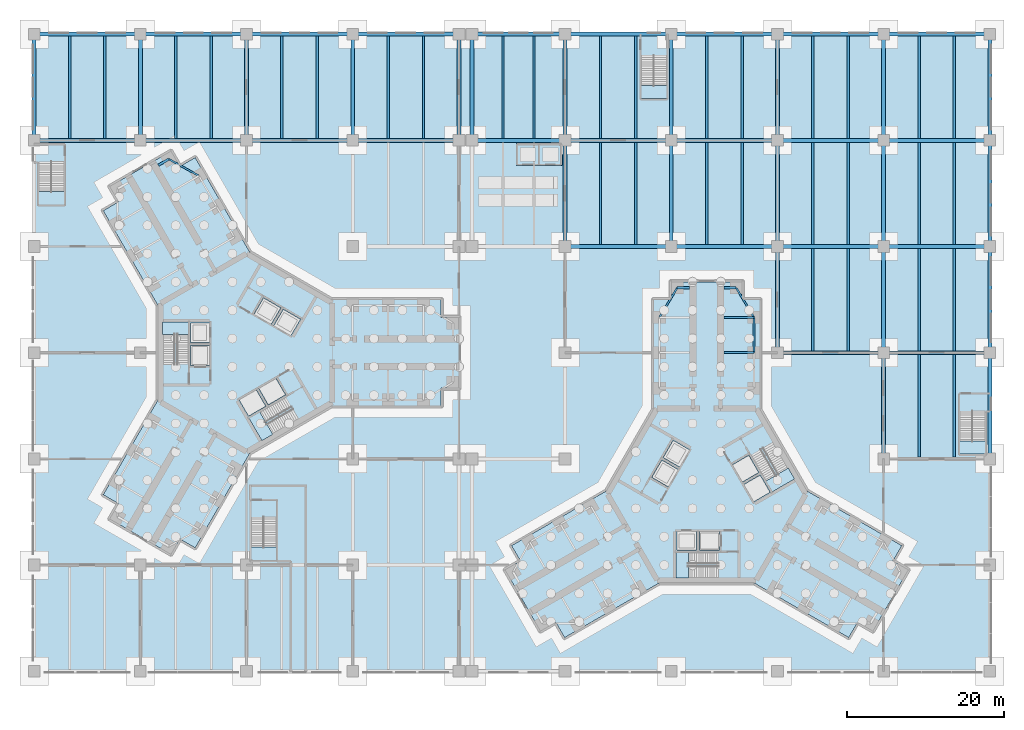
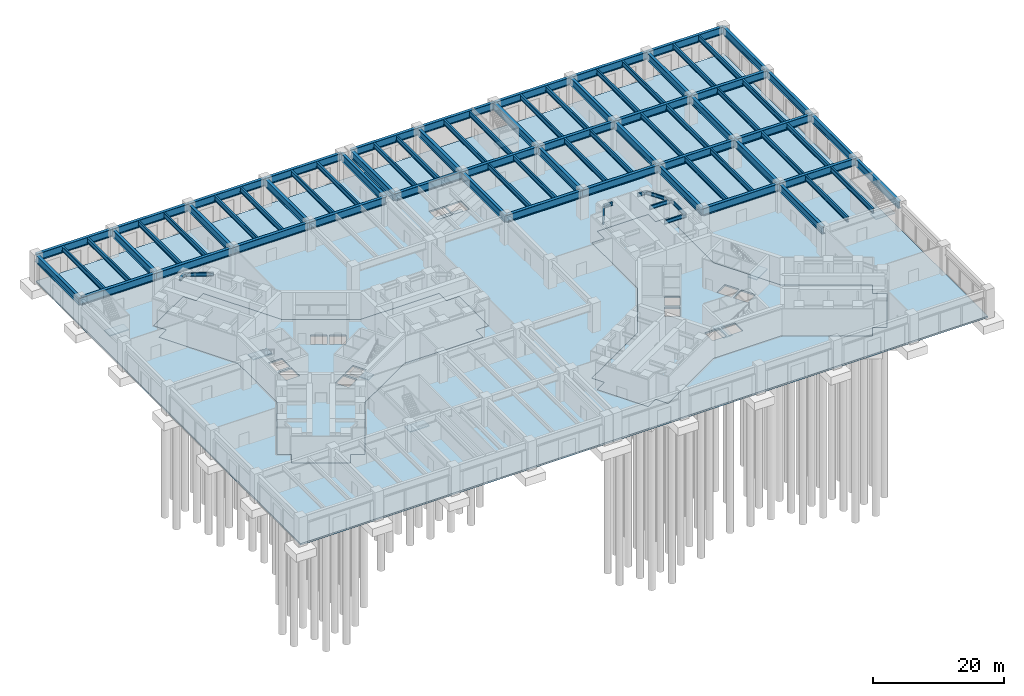
# One storey, part 4 of 18: 86 beams, 13 slabs, 8 elements without a shape of their own.
"""IFC4 building model written with IfcOpenShell, lengths in metres."""

from ifc_helpers import new_model, si_unit, direction, frame, origin, origin_2d, place, context, subcontext, project, spatial, polyline, i_section, outline, extrude, material, layer, layer_set, material_profile, profile_set, type_object, element, aggregate, save


model = new_model("IFC4")

# Units and contexts
model_context = context("Model", 3, precision=1e-05, world=origin(), true_north=direction((0.0, 1.0)))
body_context = subcontext(model_context, "Body", "Model", "MODEL_VIEW")
ifc_project = project(units=[si_unit("LENGTHUNIT", "METRE"), si_unit("AREAUNIT", "SQUARE_METRE"), si_unit("VOLUMEUNIT", "CUBIC_METRE"), si_unit("PLANEANGLEUNIT", "RADIAN"), si_unit("MASSUNIT", "GRAM", prefix="KILO")], contexts=[model_context])

# Site, building, storey
site_placement = place(None, origin())
site = spatial("IfcSite", under=ifc_project, at=site_placement, CompositionType="ELEMENT")
building_placement = place(site_placement, origin())
building = spatial("IfcBuilding", under=site, at=building_placement, Name="Upepo Twin Towers", CompositionType="ELEMENT")
storey_placement = place(building_placement, origin())
storey = spatial("IfcBuildingStorey", under=building, at=storey_placement, Name="L00", CompositionType="ELEMENT", Elevation=0.0)

# Beams
ifc_material_1 = material(Name="Steel S355", Category="steel")
ifc_material_profile_1 = material_profile(ifc_material_1, i_section(OverallWidth=0.5, OverallDepth=1.39990234375, WebThickness=0.02490234375, FlangeThickness=0.050048828125, FilletRadius=0.008056640625, at=origin_2d()), Name="PG 1400x500x25x50")
ifc_profile_set_1 = profile_set([ifc_material_profile_1], Name="Steel S355")
beam_type_1 = type_object("IfcBeamType", Name="Beam PG 1400x500x25x50", PredefinedType="BEAM", material=ifc_profile_set_1)
for number, where, z_axis, x_axis, name in (
    (1, (67.5, 0.0, 4.449951171875), (1.0, 0.0, 0.0), (0.0, 1.0, 0.0), "Podium girder D/8-9"),
    (2, (81.0, 0.0, 4.449951171875), (1.0, 0.0, 0.0), (0.0, 1.0, 0.0), "Podium girder D/9-10"),
    (3, (40.5, 13.5, 4.449951171875), (1.0, 0.0, 0.0), (0.0, 1.0, 0.0), "Podium girder E/6-7"),
    (4, (54.0, 13.5, 4.449951171875), (1.0, 0.0, 0.0), (0.0, 1.0, 0.0), "Podium girder E/7-8"),
    (5, (67.5, 13.5, 4.449951171875), (1.0, 0.0, 0.0), (0.0, 1.0, 0.0), "Podium girder E/8-9"),
    (6, (81.0, 13.5, 4.449951171875), (1.0, 0.0, 0.0), (0.0, 1.0, 0.0), "Podium girder E/9-10"),
    (7, (-27.0, 27.0, 4.449951171875), (1.0, 0.0, 0.0), (0.0, 1.0, 0.0), "Podium girder F/1-2"),
    (8, (-13.5, 27.0, 4.449951171875), (1.0, 0.0, 0.0), (0.0, 1.0, 0.0), "Podium girder F/2-3"),
    (9, (0.0, 27.0, 4.449951171875), (1.0, 0.0, 0.0), (0.0, 1.0, 0.0), "Podium girder F/3-4"),
    (10, (13.5, 27.0, 4.449951171875), (1.0, 0.0, 0.0), (0.0, 1.0, 0.0), "Podium girder F/4-5"),
):
    element("IfcBeam", number, at=place(storey_placement, frame(where, z_axis=z_axis, x_axis=x_axis)), inside=storey, type_object=beam_type_1, Name=name, PredefinedType="BEAM", context=body_context, shape_type="SweptSolid", body=[
        extrude(i_section(OverallWidth=0.5, OverallDepth=1.39990234375, WebThickness=0.02490234375, FlangeThickness=0.050048828125, FilletRadius=0.008056640625, at=origin_2d()), origin(), (0.0, 0.0, 1.0), 13.5),
    ])
beam_1_placement = place(storey_placement, frame((28.64990234375, 27.0, 4.449951171875), z_axis=(1.0, 0.0, 0.0), x_axis=(0.0, 1.0, 0.0)))
element("IfcBeam", 11, at=beam_1_placement, inside=storey, type_object=beam_type_1, Name="Podium girder F/5a-6", PredefinedType="BEAM", context=body_context, shape_type="SweptSolid", body=[
    extrude(i_section(OverallWidth=0.5, OverallDepth=1.39990234375, WebThickness=0.02490234375, FlangeThickness=0.050048828125, FilletRadius=0.008056640625, at=origin_2d()), origin(), (0.0, 0.0, 1.0), 11.85009765625),
])
for number, where, z_axis, x_axis, name in (
    (12, (40.5, 27.0, 4.449951171875), (1.0, 0.0, 0.0), (0.0, 1.0, 0.0), "Podium girder F/6-7"),
    (13, (54.0, 27.0, 4.449951171875), (1.0, 0.0, 0.0), (0.0, 1.0, 0.0), "Podium girder F/7-8"),
    (14, (67.5, 27.0, 4.449951171875), (1.0, 0.0, 0.0), (0.0, 1.0, 0.0), "Podium girder F/8-9"),
    (15, (81.0, 27.0, 4.449951171875), (1.0, 0.0, 0.0), (0.0, 1.0, 0.0), "Podium girder F/9-10"),
    (16, (-27.0, 40.5, 4.449951171875), (1.0, 0.0, 0.0), (0.0, 1.0, 0.0), "Podium girder G/1-2"),
    (17, (-13.5, 40.5, 4.449951171875), (1.0, 0.0, 0.0), (0.0, 1.0, 0.0), "Podium girder G/2-3"),
    (18, (0.0, 40.5, 4.449951171875), (1.0, 0.0, 0.0), (0.0, 1.0, 0.0), "Podium girder G/3-4"),
    (19, (13.5, 40.5, 4.449951171875), (1.0, 0.0, 0.0), (0.0, 1.0, 0.0), "Podium girder G/4-5"),
):
    element("IfcBeam", number, at=place(storey_placement, frame(where, z_axis=z_axis, x_axis=x_axis)), inside=storey, type_object=beam_type_1, Name=name, PredefinedType="BEAM", context=body_context, shape_type="SweptSolid", body=[
        extrude(i_section(OverallWidth=0.5, OverallDepth=1.39990234375, WebThickness=0.02490234375, FlangeThickness=0.050048828125, FilletRadius=0.008056640625, at=origin_2d()), origin(), (0.0, 0.0, 1.0), 13.5),
    ])
beam_2_placement = place(storey_placement, frame((28.64990234375, 40.5, 4.449951171875), z_axis=(1.0, 0.0, 0.0), x_axis=(0.0, 1.0, 0.0)))
element("IfcBeam", 20, at=beam_2_placement, inside=storey, type_object=beam_type_1, Name="Podium girder G/5a-6", PredefinedType="BEAM", context=body_context, shape_type="SweptSolid", body=[
    extrude(i_section(OverallWidth=0.5, OverallDepth=1.39990234375, WebThickness=0.02490234375, FlangeThickness=0.050048828125, FilletRadius=0.008056640625, at=origin_2d()), origin(), (0.0, 0.0, 1.0), 11.85009765625),
])
for number, where, z_axis, x_axis, name in (
    (21, (40.5, 40.5, 4.449951171875), (1.0, 0.0, 0.0), (0.0, 1.0, 0.0), "Podium girder G/6-7"),
    (22, (54.0, 40.5, 4.449951171875), (1.0, 0.0, 0.0), (0.0, 1.0, 0.0), "Podium girder G/7-8"),
    (23, (67.5, 40.5, 4.449951171875), (1.0, 0.0, 0.0), (0.0, 1.0, 0.0), "Podium girder G/8-9"),
    (24, (81.0, 40.5, 4.449951171875), (1.0, 0.0, 0.0), (0.0, 1.0, 0.0), "Podium girder G/9-10"),
    (25, (-27.0, 27.0, 4.449951171875), (0.0, 1.0, 0.0), (-1.0, 0.0, 0.0), "Podium girder 1/F-G"),
    (26, (-13.5, 27.0, 4.449951171875), (0.0, 1.0, 0.0), (-1.0, 0.0, 0.0), "Podium girder 2/F-G"),
    (27, (0.0, 27.0, 4.449951171875), (0.0, 1.0, 0.0), (-1.0, 0.0, 0.0), "Podium girder 3/F-G"),
    (28, (13.5, 27.0, 4.449951171875), (0.0, 1.0, 0.0), (-1.0, 0.0, 0.0), "Podium girder 4/F-G"),
    (29, (27.0, 27.0, 4.449951171875), (0.0, 1.0, 0.0), (-1.0, 0.0, 0.0), "Podium girder 5/F-G"),
    (30, (28.64990234375, 27.0, 4.449951171875), (0.0, 1.0, 0.0), (-1.0, 0.0, 0.0), "Podium girder 5a/F-G"),
    (31, (40.5, 13.5, 4.449951171875), (0.0, 1.0, 0.0), (-1.0, 0.0, 0.0), "Podium girder 6/E-F"),
    (32, (40.5, 27.0, 4.449951171875), (0.0, 1.0, 0.0), (-1.0, 0.0, 0.0), "Podium girder 6/F-G"),
    (33, (54.0, 13.5, 4.449951171875), (0.0, 1.0, 0.0), (-1.0, 0.0, 0.0), "Podium girder 7/E-F"),
    (34, (54.0, 27.0, 4.449951171875), (0.0, 1.0, 0.0), (-1.0, 0.0, 0.0), "Podium girder 7/F-G"),
    (35, (67.5, 0.0, 4.449951171875), (0.0, 1.0, 0.0), (-1.0, 0.0, 0.0), "Podium girder 8/D-E"),
    (36, (67.5, 13.5, 4.449951171875), (0.0, 1.0, 0.0), (-1.0, 0.0, 0.0), "Podium girder 8/E-F"),
    (37, (67.5, 27.0, 4.449951171875), (0.0, 1.0, 0.0), (-1.0, 0.0, 0.0), "Podium girder 8/F-G"),
    (38, (81.0, -13.5, 4.449951171875), (0.0, 1.0, 0.0), (-1.0, 0.0, 0.0), "Podium girder 9/C-D"),
    (39, (81.0, 0.0, 4.449951171875), (0.0, 1.0, 0.0), (-1.0, 0.0, 0.0), "Podium girder 9/D-E"),
    (40, (81.0, 13.5, 4.449951171875), (0.0, 1.0, 0.0), (-1.0, 0.0, 0.0), "Podium girder 9/E-F"),
    (41, (81.0, 27.0, 4.449951171875), (0.0, 1.0, 0.0), (-1.0, 0.0, 0.0), "Podium girder 9/F-G"),
    (42, (94.5, -13.5, 4.449951171875), (0.0, 1.0, 0.0), (-1.0, 0.0, 0.0), "Podium girder 10/C-D"),
    (43, (94.5, 0.0, 4.449951171875), (0.0, 1.0, 0.0), (-1.0, 0.0, 0.0), "Podium girder 10/D-E"),
    (44, (94.5, 13.5, 4.449951171875), (0.0, 1.0, 0.0), (-1.0, 0.0, 0.0), "Podium girder 10/E-F"),
    (45, (94.5, 27.0, 4.449951171875), (0.0, 1.0, 0.0), (-1.0, 0.0, 0.0), "Podium girder 10/F-G"),
):
    element("IfcBeam", number, at=place(storey_placement, frame(where, z_axis=z_axis, x_axis=x_axis)), inside=storey, type_object=beam_type_1, Name=name, PredefinedType="BEAM", context=body_context, shape_type="SweptSolid", body=[
        extrude(i_section(OverallWidth=0.5, OverallDepth=1.39990234375, WebThickness=0.02490234375, FlangeThickness=0.050048828125, FilletRadius=0.008056640625, at=origin_2d()), origin(), (0.0, 0.0, 1.0), 13.5),
    ])
ifc_material_2 = material(Name="Steel S355", Category="steel")
ifc_material_profile_2 = material_profile(ifc_material_2, i_section(OverallWidth=0.31201171875, OverallDepth=0.54345703125, WebThickness=0.0126953125, FlangeThickness=0.020263671875, FilletRadius=0.0126953125, at=origin_2d()), Name="UB 533x312x150")
ifc_profile_set_2 = profile_set([ifc_material_profile_2], Name="Steel S355")
beam_type_2 = type_object("IfcBeamType", Name="Beam UB 533x312x150", PredefinedType="BEAM", material=ifc_profile_set_2)
beam_3_placement = place(storey_placement, frame((-9.87744140625, 24.608154296875, 4.878173828125), z_axis=(-0.866043940782, -0.499967891604, 0.0), x_axis=(0.499967891604, -0.866043940782, 0.0)))
element("IfcBeam", 46, at=beam_3_placement, inside=storey, type_object=beam_type_2, Name="T1 nose beam BR", PredefinedType="BEAM", context=body_context, shape_type="SweptSolid", body=[
    extrude(i_section(OverallWidth=0.31201171875, OverallDepth=0.54345703125, WebThickness=0.0126953125, FlangeThickness=0.020263671875, FilletRadius=0.0126953125, at=origin_2d()), origin(), (0.0, 0.0, 1.0), 1.5498046875),
])
for number, where, z_axis, x_axis, name in (
    (47, (54.75, 8.25, 4.878173828125), (1.0, 0.0, 0.0), (0.0, 1.0, 0.0), "T2 nose beam AL"),
    (48, (62.25, 8.25, 4.878173828125), (-1.0, 0.0, 0.0), (0.0, -1.0, 0.0), "T2 nose beam AR"),
):
    element("IfcBeam", number, at=place(storey_placement, frame(where, z_axis=z_axis, x_axis=x_axis)), inside=storey, type_object=beam_type_2, Name=name, PredefinedType="BEAM", context=body_context, shape_type="SweptSolid", body=[
        extrude(i_section(OverallWidth=0.31201171875, OverallDepth=0.54345703125, WebThickness=0.0126953125, FlangeThickness=0.020263671875, FilletRadius=0.0126953125, at=origin_2d()), origin(), (0.0, 0.0, 1.0), 1.550048828125),
    ])
ifc_material_3 = material(Name="Steel S355", Category="steel")
ifc_material_profile_3 = material_profile(ifc_material_3, i_section(OverallWidth=0.228271484375, OverallDepth=0.607666015625, WebThickness=0.010986328125, FlangeThickness=0.017333984375, FilletRadius=0.0126953125, at=origin_2d()), Name="UB 610x229x113")
ifc_profile_set_3 = profile_set([ifc_material_profile_3], Name="Steel S355")
beam_type_3 = type_object("IfcBeamType", Name="Beam UB 610x229x113", PredefinedType="BEAM", material=ifc_profile_set_3)
beam_4_placement = place(storey_placement, frame((-6.053955078125, 22.485595703125, 4.84619140625), z_axis=(-0.874312600038, 0.485363242752, 0.0), x_axis=(-0.485363242752, -0.874312600038, 0.0)))
element("IfcBeam", 49, at=beam_4_placement, inside=storey, type_object=beam_type_3, Name="T1 nose edge beam BR", PredefinedType="BEAM", context=body_context, shape_type="SweptSolid", body=[
    extrude(i_section(OverallWidth=0.228271484375, OverallDepth=0.607666015625, WebThickness=0.010986328125, FlangeThickness=0.017333984375, FilletRadius=0.0126953125, at=origin_2d()), origin(), (0.0, 0.0, 1.0), 4.373046875),
])
beam_5_placement = place(storey_placement, frame((52.5, 4.5, 4.84619140625), z_axis=(0.514495755428, 0.857492925713, 0.0), x_axis=(-0.857492925713, 0.514495755428, 0.0)))
element("IfcBeam", 50, at=beam_5_placement, inside=storey, type_object=beam_type_3, Name="T2 nose edge beam AL", PredefinedType="BEAM", context=body_context, shape_type="SweptSolid", body=[
    extrude(i_section(OverallWidth=0.228271484375, OverallDepth=0.607666015625, WebThickness=0.010986328125, FlangeThickness=0.017333984375, FilletRadius=0.0126953125, at=origin_2d()), origin(), (0.0, 0.0, 1.0), 4.373291015625),
])
beam_6_placement = place(storey_placement, frame((64.5, 0.0, 4.84619140625), z_axis=(0.0, 1.0, 0.0), x_axis=(-1.0, 0.0, 0.0)))
element("IfcBeam", 51, at=beam_6_placement, inside=storey, type_object=beam_type_3, Name="T2 edge beam AR 18.0-22.5", PredefinedType="BEAM", context=body_context, shape_type="SweptSolid", body=[
    extrude(i_section(OverallWidth=0.228271484375, OverallDepth=0.607666015625, WebThickness=0.010986328125, FlangeThickness=0.017333984375, FilletRadius=0.0126953125, at=origin_2d()), origin(), (0.0, 0.0, 1.0), 4.5),
])
beam_7_placement = place(storey_placement, frame((64.5, 4.5, 4.84619140625), z_axis=(-0.514495755428, 0.857492925713, 0.0), x_axis=(-0.857492925713, -0.514495755428, 0.0)))
element("IfcBeam", 52, at=beam_7_placement, inside=storey, type_object=beam_type_3, Name="T2 nose edge beam AR", PredefinedType="BEAM", context=body_context, shape_type="SweptSolid", body=[
    extrude(i_section(OverallWidth=0.228271484375, OverallDepth=0.607666015625, WebThickness=0.010986328125, FlangeThickness=0.017333984375, FilletRadius=0.0126953125, at=origin_2d()), origin(), (0.0, 0.0, 1.0), 4.373291015625),
])
ifc_material_4 = material(Name="Steel S355", Category="steel")
ifc_material_profile_4 = material_profile(ifc_material_4, i_section(OverallWidth=0.253662109375, OverallDepth=0.68359375, WebThickness=0.012451171875, FlangeThickness=0.01904296875, FilletRadius=0.01513671875, at=origin_2d()), Name="UB 686x254x140")
ifc_profile_set_4 = profile_set([ifc_material_profile_4], Name="Steel S355")
beam_type_4 = type_object("IfcBeamType", Name="Beam UB 686x254x140", PredefinedType="BEAM", material=ifc_profile_set_4)
for number, where, z_axis, x_axis, name in (
    (53, (64.5, 0.0, 4.808349609375), (-1.0, 0.0, 0.0), (0.0, -1.0, 0.0), "T2 girder AR at 18.0"),
    (54, (64.5, 4.5, 4.808349609375), (-1.0, 0.0, 0.0), (0.0, -1.0, 0.0), "T2 girder AR at 22.5"),
):
    element("IfcBeam", number, at=place(storey_placement, frame(where, z_axis=z_axis, x_axis=x_axis)), inside=storey, type_object=beam_type_4, Name=name, PredefinedType="BEAM", context=body_context, shape_type="SweptSolid", body=[
        extrude(i_section(OverallWidth=0.253662109375, OverallDepth=0.68359375, WebThickness=0.012451171875, FlangeThickness=0.01904296875, FilletRadius=0.01513671875, at=origin_2d()), origin(), (0.0, 0.0, 1.0), 3.800048828125),
    ])
ifc_material_5 = material(Name="Steel S355", Category="steel")
ifc_material_profile_5 = material_profile(ifc_material_5, i_section(OverallWidth=0.305419921875, OverallDepth=0.91845703125, WebThickness=0.017333984375, FlangeThickness=0.02783203125, FilletRadius=0.01904296875, at=origin_2d()), Name="UB 914x305x253")
ifc_profile_set_5 = profile_set([ifc_material_profile_5], Name="Steel S355")
beam_type_5 = type_object("IfcBeamType", Name="Secondary beam UB 914x305x253", PredefinedType="JOIST", material=ifc_profile_set_5)
for number, where, z_axis, x_axis, name in (
    (55, (-22.5, 27.25, 4.69091796875), (0.0, 1.0, 0.0), (-1.0, 0.0, 0.0), "Podium secondary beam F1.1"),
    (56, (-18.0, 27.25, 4.69091796875), (0.0, 1.0, 0.0), (-1.0, 0.0, 0.0), "Podium secondary beam F1.2"),
    (57, (-9.0, 27.25, 4.69091796875), (0.0, 1.0, 0.0), (-1.0, 0.0, 0.0), "Podium secondary beam F2.1"),
    (58, (-4.5, 27.25, 4.69091796875), (0.0, 1.0, 0.0), (-1.0, 0.0, 0.0), "Podium secondary beam F2.2"),
    (59, (4.5, 27.25, 4.69091796875), (0.0, 1.0, 0.0), (-1.0, 0.0, 0.0), "Podium secondary beam F3.1"),
    (60, (9.0, 27.25, 4.69091796875), (0.0, 1.0, 0.0), (-1.0, 0.0, 0.0), "Podium secondary beam F3.2"),
    (61, (18.0, 27.25, 4.69091796875), (0.0, 1.0, 0.0), (-1.0, 0.0, 0.0), "Podium secondary beam F4.1"),
    (62, (22.5, 27.25, 4.69091796875), (0.0, 1.0, 0.0), (-1.0, 0.0, 0.0), "Podium secondary beam F4.2"),
    (63, (32.60009765625, 27.25, 4.69091796875), (0.0, 1.0, 0.0), (-1.0, 0.0, 0.0), "Podium secondary beam F5a.1"),
    (64, (36.550048828125, 27.25, 4.69091796875), (0.0, 1.0, 0.0), (-1.0, 0.0, 0.0), "Podium secondary beam F5a.2"),
    (65, (45.0, 13.75, 4.69091796875), (0.0, 1.0, 0.0), (-1.0, 0.0, 0.0), "Podium secondary beam E6.1"),
    (66, (49.5, 13.75, 4.69091796875), (0.0, 1.0, 0.0), (-1.0, 0.0, 0.0), "Podium secondary beam E6.2"),
    (67, (45.0, 27.25, 4.69091796875), (0.0, 1.0, 0.0), (-1.0, 0.0, 0.0), "Podium secondary beam F6.1"),
    (68, (49.5, 27.25, 4.69091796875), (0.0, 1.0, 0.0), (-1.0, 0.0, 0.0), "Podium secondary beam F6.2"),
    (69, (58.5, 13.75, 4.69091796875), (0.0, 1.0, 0.0), (-1.0, 0.0, 0.0), "Podium secondary beam E7.1"),
    (70, (63.0, 13.75, 4.69091796875), (0.0, 1.0, 0.0), (-1.0, 0.0, 0.0), "Podium secondary beam E7.2"),
    (71, (58.5, 27.25, 4.69091796875), (0.0, 1.0, 0.0), (-1.0, 0.0, 0.0), "Podium secondary beam F7.1"),
    (72, (63.0, 27.25, 4.69091796875), (0.0, 1.0, 0.0), (-1.0, 0.0, 0.0), "Podium secondary beam F7.2"),
    (73, (72.0, 0.25, 4.69091796875), (0.0, 1.0, 0.0), (-1.0, 0.0, 0.0), "Podium secondary beam D8.1"),
    (74, (76.5, 0.25, 4.69091796875), (0.0, 1.0, 0.0), (-1.0, 0.0, 0.0), "Podium secondary beam D8.2"),
    (75, (72.0, 13.75, 4.69091796875), (0.0, 1.0, 0.0), (-1.0, 0.0, 0.0), "Podium secondary beam E8.1"),
    (76, (76.5, 13.75, 4.69091796875), (0.0, 1.0, 0.0), (-1.0, 0.0, 0.0), "Podium secondary beam E8.2"),
    (77, (72.0, 27.25, 4.69091796875), (0.0, 1.0, 0.0), (-1.0, 0.0, 0.0), "Podium secondary beam F8.1"),
    (78, (76.5, 27.25, 4.69091796875), (0.0, 1.0, 0.0), (-1.0, 0.0, 0.0), "Podium secondary beam F8.2"),
    (79, (85.5, -13.25, 4.69091796875), (0.0, 1.0, 0.0), (-1.0, 0.0, 0.0), "Podium secondary beam C9.1"),
    (80, (90.0, -13.25, 4.69091796875), (0.0, 1.0, 0.0), (-1.0, 0.0, 0.0), "Podium secondary beam C9.2"),
    (81, (85.5, 0.25, 4.69091796875), (0.0, 1.0, 0.0), (-1.0, 0.0, 0.0), "Podium secondary beam D9.1"),
    (82, (90.0, 0.25, 4.69091796875), (0.0, 1.0, 0.0), (-1.0, 0.0, 0.0), "Podium secondary beam D9.2"),
    (83, (85.5, 13.75, 4.69091796875), (0.0, 1.0, 0.0), (-1.0, 0.0, 0.0), "Podium secondary beam E9.1"),
    (84, (90.0, 13.75, 4.69091796875), (0.0, 1.0, 0.0), (-1.0, 0.0, 0.0), "Podium secondary beam E9.2"),
    (85, (85.5, 27.25, 4.69091796875), (0.0, 1.0, 0.0), (-1.0, 0.0, 0.0), "Podium secondary beam F9.1"),
    (86, (90.0, 27.25, 4.69091796875), (0.0, 1.0, 0.0), (-1.0, 0.0, 0.0), "Podium secondary beam F9.2"),
):
    element("IfcBeam", number, at=place(storey_placement, frame(where, z_axis=z_axis, x_axis=x_axis)), inside=storey, type_object=beam_type_5, Name=name, PredefinedType="JOIST", context=body_context, shape_type="SweptSolid", body=[
        extrude(i_section(OverallWidth=0.305419921875, OverallDepth=0.91845703125, WebThickness=0.017333984375, FlangeThickness=0.02783203125, FilletRadius=0.01904296875, at=origin_2d()), origin(), (0.0, 0.0, 1.0), 13.0),
    ])

# Slabs
ifc_material_6 = material(Name="Concrete C40/50", Category="concrete")
ifc_layer_1 = layer(ifc_material_6, 0.300048828125)
ifc_layer_set_1 = layer_set([ifc_layer_1], Name="Concrete C40/50")
slab_type_1 = type_object("IfcSlabType", Name="Base slab 300 RC", PredefinedType="BASESLAB", material=ifc_layer_set_1)
slab_1_placement = place(storey_placement, frame((0.0, 0.0, -0.300048828125)))
element("IfcSlab", 87, at=slab_1_placement, inside=storey, type_object=slab_type_1, Name="T1 L00 floor slab", PredefinedType="BASESLAB", context=body_context, shape_type="SweptSolid", body=[
    extrude(outline(polyline([(-8.477783203125, -23.68408203125), (-9.602783203125, -25.632568359375), (-17.397216796875, -21.132568359375), (-16.272216796875, -19.18408203125), (-18.220703125, -18.05908203125), (-11.25830078125, -6.0), (-11.25830078125, 6.0), (-18.220703125, 18.05908203125), (-16.272216796875, 19.18408203125), (-17.397216796875, 21.132568359375), (-9.602783203125, 25.632568359375), (-8.477783203125, 23.68408203125), (-6.529296875, 24.80908203125), (0.43310546875, 12.75), (10.825439453125, 6.75), (24.75, 6.75), (24.75, 4.5), (27.0, 4.5), (27.0, -4.5), (24.75, -4.5), (24.75, -6.75), (10.825439453125, -6.75), (0.43310546875, -12.75), (-6.529296875, -24.80908203125), (-8.477783203125, -23.68408203125)]), holes=[polyline([(5.640869140625, 2.17041015625), (6.8408203125, 4.248779296875), (4.67578125, 5.498779296875), (3.475830078125, 3.42041015625), (5.640869140625, 2.17041015625)]), polyline([(3.12939453125, 3.620361328125), (4.329345703125, 5.69873046875), (2.164306640625, 6.94873046875), (0.96435546875, 4.870361328125), (3.12939453125, 3.620361328125)]), polyline([(-4.699951171875, 3.800048828125), (-7.10009765625, 3.800048828125), (-7.10009765625, 1.300048828125), (-4.699951171875, 1.300048828125), (-4.699951171875, 3.800048828125)]), polyline([(-4.699951171875, 0.89990234375), (-7.10009765625, 0.89990234375), (-7.10009765625, -1.60009765625), (-4.699951171875, -1.60009765625), (-4.699951171875, 0.89990234375)]), polyline([(-0.94091796875, -5.97021484375), (0.259033203125, -8.048828125), (2.424072265625, -6.798828125), (1.22412109375, -4.72021484375), (-0.94091796875, -5.97021484375)]), polyline([(1.570556640625, -4.520263671875), (2.7705078125, -6.598876953125), (4.935546875, -5.348876953125), (3.735595703125, -3.270263671875), (1.570556640625, -4.520263671875)])]), origin(), (0.0, 0.0, 1.0), 0.300048828125),
])
slab_2_placement = place(storey_placement, frame((0.0, 0.0, -0.300048828125)))
element("IfcSlab", 88, at=slab_2_placement, inside=storey, type_object=slab_type_1, Name="T2 L00 floor slab", PredefinedType="BASESLAB", context=body_context, shape_type="SweptSolid", body=[
    extrude(outline(polyline([(82.18408203125, -26.477783203125), (84.132568359375, -27.602783203125), (79.632568359375, -35.397216796875), (77.68408203125, -34.272216796875), (76.55908203125, -36.220703125), (64.5, -29.25830078125), (52.5, -29.25830078125), (40.44091796875, -36.220703125), (39.31591796875, -34.272216796875), (37.367431640625, -35.397216796875), (32.867431640625, -27.602783203125), (34.81591796875, -26.477783203125), (33.69091796875, -24.529296875), (45.75, -17.56689453125), (51.75, -7.174560546875), (51.75, 6.75), (54.0, 6.75), (54.0, 9.0), (63.0, 9.0), (63.0, 6.75), (65.25, 6.75), (65.25, -7.174560546875), (71.25, -17.56689453125), (83.30908203125, -24.529296875), (82.18408203125, -26.477783203125)]), holes=[polyline([(56.32958984375, -12.359130859375), (54.251220703125, -11.1591796875), (53.001220703125, -13.32421875), (55.07958984375, -14.524169921875), (56.32958984375, -12.359130859375)]), polyline([(54.879638671875, -14.87060546875), (52.80126953125, -13.670654296875), (51.55126953125, -15.835693359375), (53.629638671875, -17.03564453125), (54.879638671875, -14.87060546875)]), polyline([(54.699951171875, -22.699951171875), (54.699951171875, -25.10009765625), (57.199951171875, -25.10009765625), (57.199951171875, -22.699951171875), (54.699951171875, -22.699951171875)]), polyline([(57.60009765625, -22.699951171875), (57.60009765625, -25.10009765625), (60.10009765625, -25.10009765625), (60.10009765625, -22.699951171875), (57.60009765625, -22.699951171875)]), polyline([(64.47021484375, -18.94091796875), (66.548828125, -17.740966796875), (65.298828125, -15.575927734375), (63.22021484375, -16.77587890625), (64.47021484375, -18.94091796875)]), polyline([(63.020263671875, -16.429443359375), (65.098876953125, -15.2294921875), (63.848876953125, -13.064453125), (61.770263671875, -14.264404296875), (63.020263671875, -16.429443359375)])]), origin(), (0.0, 0.0, 1.0), 0.300048828125),
])
slab_3_placement = place(storey_placement, frame((0.0, 0.0, -0.300048828125)))
element("IfcSlab", 89, at=slab_3_placement, inside=storey, type_object=slab_type_1, Name="L00 podium floor slab", PredefinedType="BASESLAB", context=body_context, shape_type="SweptSolid", body=[
    extrude(outline(polyline([(94.5, -40.5), (94.5, 40.5), (-27.0, 40.5), (-27.0, -40.5), (94.5, -40.5)]), holes=[polyline([(-8.477783203125, -23.68408203125), (-9.602783203125, -25.632568359375), (-17.397216796875, -21.132568359375), (-16.272216796875, -19.18408203125), (-18.220703125, -18.05908203125), (-11.25830078125, -6.0), (-11.25830078125, 6.0), (-18.220703125, 18.05908203125), (-16.272216796875, 19.18408203125), (-17.397216796875, 21.132568359375), (-9.602783203125, 25.632568359375), (-8.477783203125, 23.68408203125), (-6.529296875, 24.80908203125), (0.43310546875, 12.75), (10.825439453125, 6.75), (24.75, 6.75), (24.75, 4.5), (27.0, 4.5), (27.0, -4.5), (24.75, -4.5), (24.75, -6.75), (10.825439453125, -6.75), (0.43310546875, -12.75), (-6.529296875, -24.80908203125), (-8.477783203125, -23.68408203125)]), polyline([(82.18408203125, -26.477783203125), (84.132568359375, -27.602783203125), (79.632568359375, -35.397216796875), (77.68408203125, -34.272216796875), (76.55908203125, -36.220703125), (64.5, -29.25830078125), (52.5, -29.25830078125), (40.44091796875, -36.220703125), (39.31591796875, -34.272216796875), (37.367431640625, -35.397216796875), (32.867431640625, -27.602783203125), (34.81591796875, -26.477783203125), (33.69091796875, -24.529296875), (45.75, -17.56689453125), (51.75, -7.174560546875), (51.75, 6.75), (54.0, 6.75), (54.0, 9.0), (63.0, 9.0), (63.0, 6.75), (65.25, 6.75), (65.25, -7.174560546875), (71.25, -17.56689453125), (83.30908203125, -24.529296875), (82.18408203125, -26.477783203125)]), polyline([(40.0, 23.89990234375), (40.0, 26.5), (37.300048828125, 26.5), (37.300048828125, 23.89990234375), (40.0, 23.89990234375)]), polyline([(37.10009765625, 23.89990234375), (37.10009765625, 26.5), (34.39990234375, 26.5), (34.39990234375, 23.89990234375), (37.10009765625, 23.89990234375)])]), origin(), (0.0, 0.0, 1.0), 0.300048828125),
])
ifc_material_7 = material(Name="Concrete C40/50", Category="concrete")
ifc_layer_2 = layer(ifc_material_7, 0.5)
ifc_layer_set_2 = layer_set([ifc_layer_2], Name="Concrete C40/50")
slab_type_2 = type_object("IfcSlabType", Name="Podium lift pit base 500 RC", PredefinedType="BASESLAB", material=ifc_layer_set_2)
slab_4_placement = place(storey_placement, frame((0.0, 0.0, -2.10009765625)))
element("IfcSlab", 90, at=slab_4_placement, inside=storey, type_object=slab_type_2, Name="Podium lift PL1 pit base", PredefinedType="BASESLAB", context=body_context, shape_type="SweptSolid", body=[
    extrude(outline(polyline([(37.199951171875, 23.800048828125), (40.10009765625, 23.800048828125), (40.10009765625, 26.60009765625), (37.199951171875, 26.60009765625), (37.199951171875, 23.800048828125)])), origin(), (0.0, 0.0, 1.0), 0.5),
])
slab_5_placement = place(storey_placement, frame((0.0, 0.0, -2.10009765625)))
element("IfcSlab", 91, at=slab_5_placement, inside=storey, type_object=slab_type_2, Name="Podium lift PL2 pit base", PredefinedType="BASESLAB", context=body_context, shape_type="SweptSolid", body=[
    extrude(outline(polyline([(34.300048828125, 23.800048828125), (37.199951171875, 23.800048828125), (37.199951171875, 26.60009765625), (34.300048828125, 26.60009765625), (34.300048828125, 23.800048828125)])), origin(), (0.0, 0.0, 1.0), 0.5),
])

# Stair, slab
ifc_material_8 = material(Name="Concrete C40/50", Category="concrete")
stair_type_1 = type_object("IfcStairType", Name="Core stair, two flights", PredefinedType="HALF_TURN_STAIR", material=ifc_material_8)
stair_1_placement = place(storey_placement, origin())
stair_1 = element("IfcStair", 92, at=stair_1_placement, inside=storey, type_object=stair_type_1, Name="T1 stair S1 L00", PredefinedType="HALF_TURN_STAIR")
ifc_material_9 = material(Name="Concrete C40/50", Category="concrete")
ifc_layer_3 = layer(ifc_material_9, 0.199951171875)
ifc_layer_set_3 = layer_set([ifc_layer_3], Name="Concrete C40/50")
slab_type_3 = type_object("IfcSlabType", Name="Stair landing 200 RC", PredefinedType="LANDING", material=ifc_layer_set_3)
slab_6_placement = place(storey_placement, frame((0.0, 0.0, 2.550048828125)))
slab_6 = element("IfcSlab", 93, at=slab_6_placement, type_object=slab_type_3, Name="Stair S1 landing 1", PredefinedType="LANDING", context=body_context, shape_type="SweptSolid", body=[
    extrude(outline(polyline([(-7.300048828125, 3.89990234375), (-10.658447265625, 3.89990234375), (-10.658447265625, 2.300048828125), (-7.300048828125, 2.300048828125), (-7.300048828125, 3.89990234375)])), origin(), (0.0, 0.0, 1.0), 0.199951171875),
])
aggregate(stair_1, [slab_6])

stair_2_placement = place(storey_placement, origin())
stair_2 = element("IfcStair", 94, at=stair_2_placement, inside=storey, type_object=stair_type_1, Name="T1 stair S2 L00", PredefinedType="HALF_TURN_STAIR")
slab_7_placement = place(storey_placement, frame((0.0, 0.0, 2.550048828125)))
slab_7 = element("IfcSlab", 95, at=slab_7_placement, type_object=slab_type_3, Name="Stair S2 landing 1", PredefinedType="LANDING", context=body_context, shape_type="SweptSolid", body=[
    extrude(outline(polyline([(0.2724609375, -8.27197265625), (1.95166015625, -11.180419921875), (3.33740234375, -10.38037109375), (1.658203125, -7.471923828125), (0.2724609375, -8.27197265625)])), origin(), (0.0, 0.0, 1.0), 0.199951171875),
])
aggregate(stair_2, [slab_7])

stair_3_placement = place(storey_placement, origin())
stair_3 = element("IfcStair", 96, at=stair_3_placement, inside=storey, type_object=stair_type_1, Name="T2 stair S1 L00", PredefinedType="HALF_TURN_STAIR")
slab_8_placement = place(storey_placement, frame((0.0, 0.0, 2.550048828125)))
slab_8 = element("IfcSlab", 97, at=slab_8_placement, type_object=slab_type_3, Name="Stair S1 landing 1", PredefinedType="LANDING", context=body_context, shape_type="SweptSolid", body=[
    extrude(outline(polyline([(54.60009765625, -25.300048828125), (54.60009765625, -28.658447265625), (56.199951171875, -28.658447265625), (56.199951171875, -25.300048828125), (54.60009765625, -25.300048828125)])), origin(), (0.0, 0.0, 1.0), 0.199951171875),
])
aggregate(stair_3, [slab_8])

stair_4_placement = place(storey_placement, origin())
stair_4 = element("IfcStair", 98, at=stair_4_placement, inside=storey, type_object=stair_type_1, Name="T2 stair S2 L00", PredefinedType="HALF_TURN_STAIR")
slab_9_placement = place(storey_placement, frame((0.0, 0.0, 2.550048828125)))
slab_9 = element("IfcSlab", 99, at=slab_9_placement, type_object=slab_type_3, Name="Stair S2 landing 1", PredefinedType="LANDING", context=body_context, shape_type="SweptSolid", body=[
    extrude(outline(polyline([(66.77197265625, -17.7275390625), (69.680419921875, -16.04833984375), (68.88037109375, -14.66259765625), (65.971923828125, -16.341796875), (66.77197265625, -17.7275390625)])), origin(), (0.0, 0.0, 1.0), 0.199951171875),
])
aggregate(stair_4, [slab_9])

ifc_material_10 = material(Name="Concrete C40/50", Category="concrete")
stair_type_2 = type_object("IfcStairType", Name="Podium stair, two flights", PredefinedType="HALF_TURN_STAIR", material=ifc_material_10)
stair_5_placement = place(storey_placement, origin())
stair_5 = element("IfcStair", 100, at=stair_5_placement, inside=storey, type_object=stair_type_2, Name="Podium stair PS1 L00", PredefinedType="HALF_TURN_STAIR")
slab_10_placement = place(storey_placement, frame((0.0, 0.0, 2.550048828125)))
slab_10 = element("IfcSlab", 101, at=slab_10_placement, type_object=slab_type_3, Name="Stair PS1 landing 1", PredefinedType="LANDING", context=body_context, shape_type="SweptSolid", body=[
    extrude(outline(polyline([(-26.5, 18.800048828125), (-23.10009765625, 18.800048828125), (-23.10009765625, 20.5), (-26.5, 20.5), (-26.5, 18.800048828125)])), origin(), (0.0, 0.0, 1.0), 0.199951171875),
])
aggregate(stair_5, [slab_10])

stair_6_placement = place(storey_placement, origin())
stair_6 = element("IfcStair", 102, at=stair_6_placement, inside=storey, type_object=stair_type_2, Name="Podium stair PS2 L00", PredefinedType="HALF_TURN_STAIR")
slab_11_placement = place(storey_placement, frame((0.0, 0.0, 2.550048828125)))
slab_11 = element("IfcSlab", 103, at=slab_11_placement, type_object=slab_type_3, Name="Stair PS2 landing 1", PredefinedType="LANDING", context=body_context, shape_type="SweptSolid", body=[
    extrude(outline(polyline([(90.60009765625, -12.89990234375), (94.0, -12.89990234375), (94.0, -11.199951171875), (90.60009765625, -11.199951171875), (90.60009765625, -12.89990234375)])), origin(), (0.0, 0.0, 1.0), 0.199951171875),
])
aggregate(stair_6, [slab_11])

stair_7_placement = place(storey_placement, origin())
stair_7 = element("IfcStair", 104, at=stair_7_placement, inside=storey, type_object=stair_type_2, Name="Podium stair PS3 L00", PredefinedType="HALF_TURN_STAIR")
slab_12_placement = place(storey_placement, frame((0.0, 0.0, 2.550048828125)))
slab_12 = element("IfcSlab", 105, at=slab_12_placement, type_object=slab_type_3, Name="Stair PS3 landing 1", PredefinedType="LANDING", context=body_context, shape_type="SweptSolid", body=[
    extrude(outline(polyline([(0.5, -26.39990234375), (3.89990234375, -26.39990234375), (3.89990234375, -24.699951171875), (0.5, -24.699951171875), (0.5, -26.39990234375)])), origin(), (0.0, 0.0, 1.0), 0.199951171875),
])
aggregate(stair_7, [slab_12])

stair_8_placement = place(storey_placement, origin())
stair_8 = element("IfcStair", 106, at=stair_8_placement, inside=storey, type_object=stair_type_2, Name="Podium stair PS4 L00", PredefinedType="HALF_TURN_STAIR")
slab_13_placement = place(storey_placement, frame((0.0, 0.0, 2.550048828125)))
slab_13 = element("IfcSlab", 107, at=slab_13_placement, type_object=slab_type_3, Name="Stair PS4 landing 1", PredefinedType="LANDING", context=body_context, shape_type="SweptSolid", body=[
    extrude(outline(polyline([(50.10009765625, 32.300048828125), (53.5, 32.300048828125), (53.5, 34.0), (50.10009765625, 34.0), (50.10009765625, 32.300048828125)])), origin(), (0.0, 0.0, 1.0), 0.199951171875),
])
aggregate(stair_8, [slab_13])

save(model, "model.ifc")
